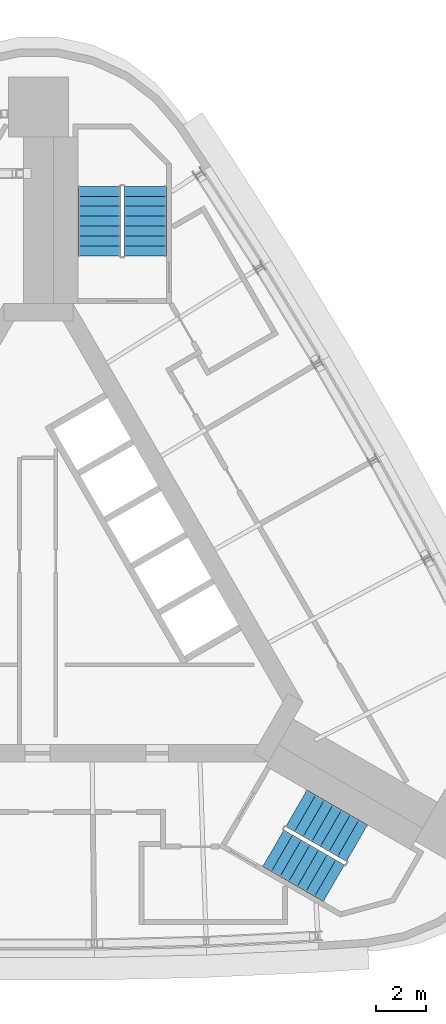
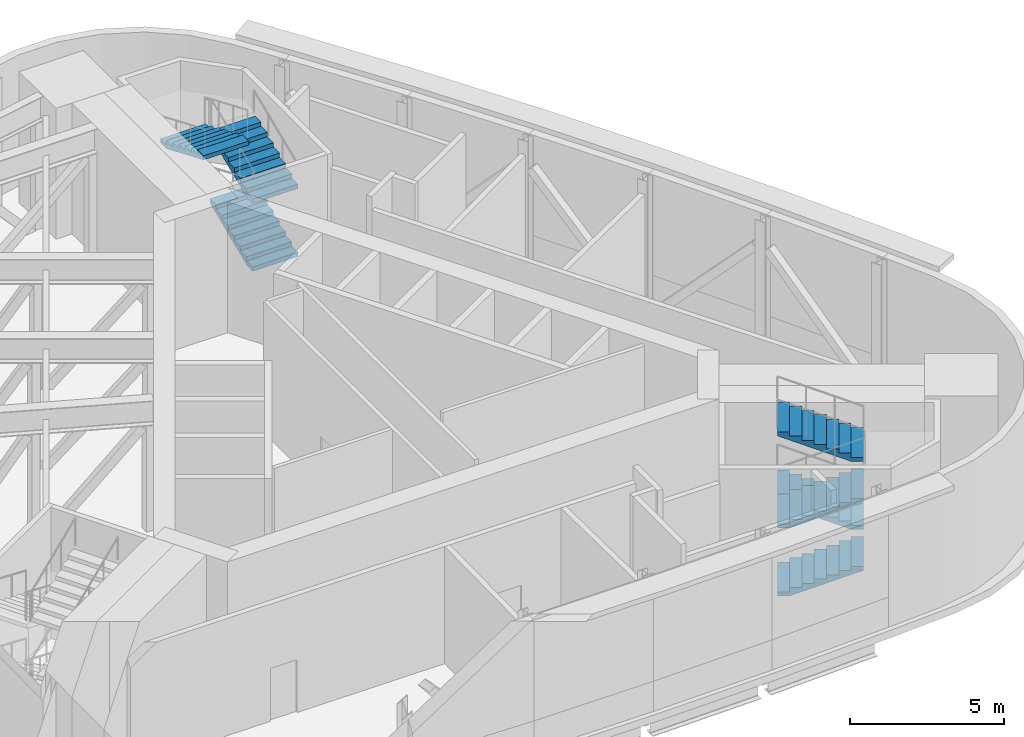
# One storey, part 9 of 11: 7 stair flights, 2 elements without a shape of their own.
"""IFC4 building model written with IfcOpenShell, lengths in metres."""

from ifc_helpers import new_model, si_unit, direction, frame, origin, place, context, subcontext, project, spatial, polyline, outline, extrude, material, type_object, element, aggregate, save


model = new_model("IFC4")

# Units and contexts
model_context = context("Model", 3, precision=1e-05, world=origin(), true_north=direction((0.0, 1.0)))
body_context = subcontext(model_context, "Body", "Model", "MODEL_VIEW")
ifc_project = project(units=[si_unit("LENGTHUNIT", "METRE"), si_unit("AREAUNIT", "SQUARE_METRE"), si_unit("VOLUMEUNIT", "CUBIC_METRE"), si_unit("PLANEANGLEUNIT", "RADIAN"), si_unit("MASSUNIT", "GRAM", prefix="KILO")], contexts=[model_context])

# Site, building, storey
site_placement = place(None, origin())
site = spatial("IfcSite", under=ifc_project, at=site_placement, CompositionType="ELEMENT")
building_placement = place(site_placement, origin())
building = spatial("IfcBuilding", under=site, at=building_placement, Name="Noor Cloister Tower", CompositionType="ELEMENT")
storey_placement = place(building_placement, frame((0.0, 0.0, 258.0)))
storey = spatial("IfcBuildingStorey", under=building, at=storey_placement, Name="L66", CompositionType="ELEMENT", Elevation=258.0)

# Stair, stair flights
ifc_material_1 = material(Name="Concrete C40/50", Category="concrete")
stair_type = type_object("IfcStairType", Name="Exit stair 32 risers", PredefinedType="HALF_TURN_STAIR", material=ifc_material_1)
stair_1_placement = place(storey_placement, origin())
stair_1 = element("IfcStair", 1, at=stair_1_placement, inside=storey, type_object=stair_type, Name="Exit stair ST1 L66", PredefinedType="HALF_TURN_STAIR")
ifc_material_2 = material(Name="Concrete C40/50", Category="concrete")
stair_flight_type = type_object("IfcStairFlightType", Name="Exit stair flight", PredefinedType="STRAIGHT", material=ifc_material_2)
stair_flight_1_placement = place(storey_placement, frame((4.28564453125, 13.3564453125, 0.0), z_axis=(0.0, 0.0, 1.0), x_axis=(0.0, 1.0, 0.0)))
stair_flight_1 = element("IfcStairFlight", 2, at=stair_flight_1_placement, type_object=stair_flight_type, Name="ST1 flight 1", NumberOfRisers=8, NumberOfTreads=7, PredefinedType="STRAIGHT", RiserHeight=0.16875, TreadLength=0.4, context=body_context, shape_type="SweptSolid", body=[
    extrude(outline(polyline([(0.0, 0.0), (0.0, 0.168701171875), (0.39990234375, 0.168701171875), (0.39990234375, 0.33740234375), (0.800048828125, 0.33740234375), (0.800048828125, 0.50634765625), (1.199951171875, 0.50634765625), (1.199951171875, 0.675048828125), (1.60009765625, 0.675048828125), (1.60009765625, 0.84375), (2.0, 0.84375), (2.0, 1.012451171875), (2.39990234375, 1.012451171875), (2.39990234375, 1.18115234375), (2.800048828125, 1.18115234375), (2.800048828125, 1.35009765625), (2.800048828125, 1.0185546875), (0.3857421875, 0.0), (0.0, 0.0)])), frame((0.0, 0.85009765625, 0.0), z_axis=(0.0, -1.0, 0.0), x_axis=(1.0, 0.0, 0.0)), (0.0, 0.0, 1.0), 1.699951171875),
])
stair_flight_2_placement = place(storey_placement, frame((4.28564453125, 13.3564453125, 2.699951171875), z_axis=(0.0, 0.0, 1.0), x_axis=(0.0, 1.0, 0.0)))
stair_flight_2 = element("IfcStairFlight", 3, at=stair_flight_2_placement, type_object=stair_flight_type, Name="ST1 flight 3", NumberOfRisers=8, NumberOfTreads=7, PredefinedType="STRAIGHT", RiserHeight=0.16875, TreadLength=0.4, context=body_context, shape_type="SweptSolid", body=[
    extrude(outline(polyline([(0.0, 0.0), (0.0, 0.168701171875), (0.39990234375, 0.168701171875), (0.39990234375, 0.33740234375), (0.800048828125, 0.33740234375), (0.800048828125, 0.50634765625), (1.199951171875, 0.50634765625), (1.199951171875, 0.675048828125), (1.60009765625, 0.675048828125), (1.60009765625, 0.84375), (2.0, 0.84375), (2.0, 1.012451171875), (2.39990234375, 1.012451171875), (2.39990234375, 1.18115234375), (2.800048828125, 1.18115234375), (2.800048828125, 1.35009765625), (2.800048828125, 1.0185546875), (0.3857421875, 0.0), (0.0, 0.0)])), frame((0.0, 0.85009765625, 0.0), z_axis=(0.0, -1.0, 0.0), x_axis=(1.0, 0.0, 0.0)), (0.0, 0.0, 1.0), 1.699951171875),
])
stair_flight_3_placement = place(storey_placement, frame((2.435546875, 16.156494140625, 4.050048828125), z_axis=(0.0, 0.0, 1.0), x_axis=(0.0, -1.0, 0.0)))
stair_flight_3 = element("IfcStairFlight", 4, at=stair_flight_3_placement, type_object=stair_flight_type, Name="ST1 flight 4", NumberOfRisers=8, NumberOfTreads=7, PredefinedType="STRAIGHT", RiserHeight=0.16875, TreadLength=0.4, context=body_context, shape_type="SweptSolid", body=[
    extrude(outline(polyline([(0.0, 0.0), (0.0, 0.168701171875), (0.39990234375, 0.168701171875), (0.39990234375, 0.33740234375), (0.800048828125, 0.33740234375), (0.800048828125, 0.50634765625), (1.199951171875, 0.50634765625), (1.199951171875, 0.675048828125), (1.60009765625, 0.675048828125), (1.60009765625, 0.84375), (2.0, 0.84375), (2.0, 1.012451171875), (2.39990234375, 1.012451171875), (2.39990234375, 1.18115234375), (2.800048828125, 1.18115234375), (2.800048828125, 1.35009765625), (2.800048828125, 1.0185546875), (0.3857421875, 0.0), (0.0, 0.0)])), frame((0.0, 0.85009765625, 0.0), z_axis=(0.0, -1.0, 0.0), x_axis=(1.0, 0.0, 0.0)), (0.0, 0.0, 1.0), 1.699951171875),
])
aggregate(stair_1, [stair_flight_1, stair_flight_2, stair_flight_3])

stair_2_placement = place(storey_placement, origin())
stair_2 = element("IfcStair", 5, at=stair_2_placement, inside=storey, type_object=stair_type, Name="Exit stair ST3 L66", PredefinedType="HALF_TURN_STAIR")
stair_flight_4_placement = place(storey_placement, frame((9.424072265625, -10.3896484375, 0.0), z_axis=(0.0, 0.0, 1.0), x_axis=(0.866025403784, -0.5, 0.0)))
stair_flight_4 = element("IfcStairFlight", 6, at=stair_flight_4_placement, type_object=stair_flight_type, Name="ST3 flight 1", NumberOfRisers=8, NumberOfTreads=7, PredefinedType="STRAIGHT", RiserHeight=0.16875, TreadLength=0.4, context=body_context, shape_type="SweptSolid", body=[
    extrude(outline(polyline([(0.0, 0.0), (0.0, 0.168701171875), (0.39990234375, 0.168701171875), (0.39990234375, 0.33740234375), (0.800048828125, 0.33740234375), (0.800048828125, 0.50634765625), (1.199951171875, 0.50634765625), (1.199951171875, 0.675048828125), (1.60009765625, 0.675048828125), (1.60009765625, 0.84375), (2.0, 0.84375), (2.0, 1.012451171875), (2.39990234375, 1.012451171875), (2.39990234375, 1.18115234375), (2.800048828125, 1.18115234375), (2.800048828125, 1.35009765625), (2.800048828125, 1.0185546875), (0.3857421875, 0.0), (0.0, 0.0)])), frame((0.0, 0.85009765625, 0.0), z_axis=(0.0, -1.0, 0.0), x_axis=(1.0, 0.0, 0.0)), (0.0, 0.0, 1.0), 1.699951171875),
])
stair_flight_5_placement = place(storey_placement, frame((12.77392578125, -10.1875, 1.35009765625), z_axis=(0.0, 0.0, 1.0), x_axis=(-0.866025403784, 0.5, 0.0)))
stair_flight_5 = element("IfcStairFlight", 7, at=stair_flight_5_placement, type_object=stair_flight_type, Name="ST3 flight 2", NumberOfRisers=8, NumberOfTreads=7, PredefinedType="STRAIGHT", RiserHeight=0.16875, TreadLength=0.4, context=body_context, shape_type="SweptSolid", body=[
    extrude(outline(polyline([(0.0, 0.0), (0.0, 0.168701171875), (0.39990234375, 0.168701171875), (0.39990234375, 0.33740234375), (0.800048828125, 0.33740234375), (0.800048828125, 0.50634765625), (1.199951171875, 0.50634765625), (1.199951171875, 0.675048828125), (1.60009765625, 0.675048828125), (1.60009765625, 0.84375), (2.0, 0.84375), (2.0, 1.012451171875), (2.39990234375, 1.012451171875), (2.39990234375, 1.18115234375), (2.800048828125, 1.18115234375), (2.800048828125, 1.35009765625), (2.800048828125, 1.0185546875), (0.3857421875, 0.0), (0.0, 0.0)])), frame((0.0, 0.85009765625, 0.0), z_axis=(0.0, -1.0, 0.0), x_axis=(1.0, 0.0, 0.0)), (0.0, 0.0, 1.0), 1.699951171875),
])
stair_flight_6_placement = place(storey_placement, frame((9.424072265625, -10.3896484375, 2.699951171875), z_axis=(0.0, 0.0, 1.0), x_axis=(0.866025403784, -0.5, 0.0)))
stair_flight_6 = element("IfcStairFlight", 8, at=stair_flight_6_placement, type_object=stair_flight_type, Name="ST3 flight 3", NumberOfRisers=8, NumberOfTreads=7, PredefinedType="STRAIGHT", RiserHeight=0.16875, TreadLength=0.4, context=body_context, shape_type="SweptSolid", body=[
    extrude(outline(polyline([(0.0, 0.0), (0.0, 0.168701171875), (0.39990234375, 0.168701171875), (0.39990234375, 0.33740234375), (0.800048828125, 0.33740234375), (0.800048828125, 0.50634765625), (1.199951171875, 0.50634765625), (1.199951171875, 0.675048828125), (1.60009765625, 0.675048828125), (1.60009765625, 0.84375), (2.0, 0.84375), (2.0, 1.012451171875), (2.39990234375, 1.012451171875), (2.39990234375, 1.18115234375), (2.800048828125, 1.18115234375), (2.800048828125, 1.35009765625), (2.800048828125, 1.0185546875), (0.3857421875, 0.0), (0.0, 0.0)])), frame((0.0, 0.85009765625, 0.0), z_axis=(0.0, -1.0, 0.0), x_axis=(1.0, 0.0, 0.0)), (0.0, 0.0, 1.0), 1.699951171875),
])
stair_flight_7_placement = place(storey_placement, frame((12.77392578125, -10.1875, 4.050048828125), z_axis=(0.0, 0.0, 1.0), x_axis=(-0.866025403784, 0.5, 0.0)))
stair_flight_7 = element("IfcStairFlight", 9, at=stair_flight_7_placement, type_object=stair_flight_type, Name="ST3 flight 4", NumberOfRisers=8, NumberOfTreads=7, PredefinedType="STRAIGHT", RiserHeight=0.16875, TreadLength=0.4, context=body_context, shape_type="SweptSolid", body=[
    extrude(outline(polyline([(0.0, 0.0), (0.0, 0.168701171875), (0.39990234375, 0.168701171875), (0.39990234375, 0.33740234375), (0.800048828125, 0.33740234375), (0.800048828125, 0.50634765625), (1.199951171875, 0.50634765625), (1.199951171875, 0.675048828125), (1.60009765625, 0.675048828125), (1.60009765625, 0.84375), (2.0, 0.84375), (2.0, 1.012451171875), (2.39990234375, 1.012451171875), (2.39990234375, 1.18115234375), (2.800048828125, 1.18115234375), (2.800048828125, 1.35009765625), (2.800048828125, 1.0185546875), (0.3857421875, 0.0), (0.0, 0.0)])), frame((0.0, 0.85009765625, 0.0), z_axis=(0.0, -1.0, 0.0), x_axis=(1.0, 0.0, 0.0)), (0.0, 0.0, 1.0), 1.699951171875),
])
aggregate(stair_2, [stair_flight_4, stair_flight_5, stair_flight_6, stair_flight_7])

save(model, "model.ifc")
